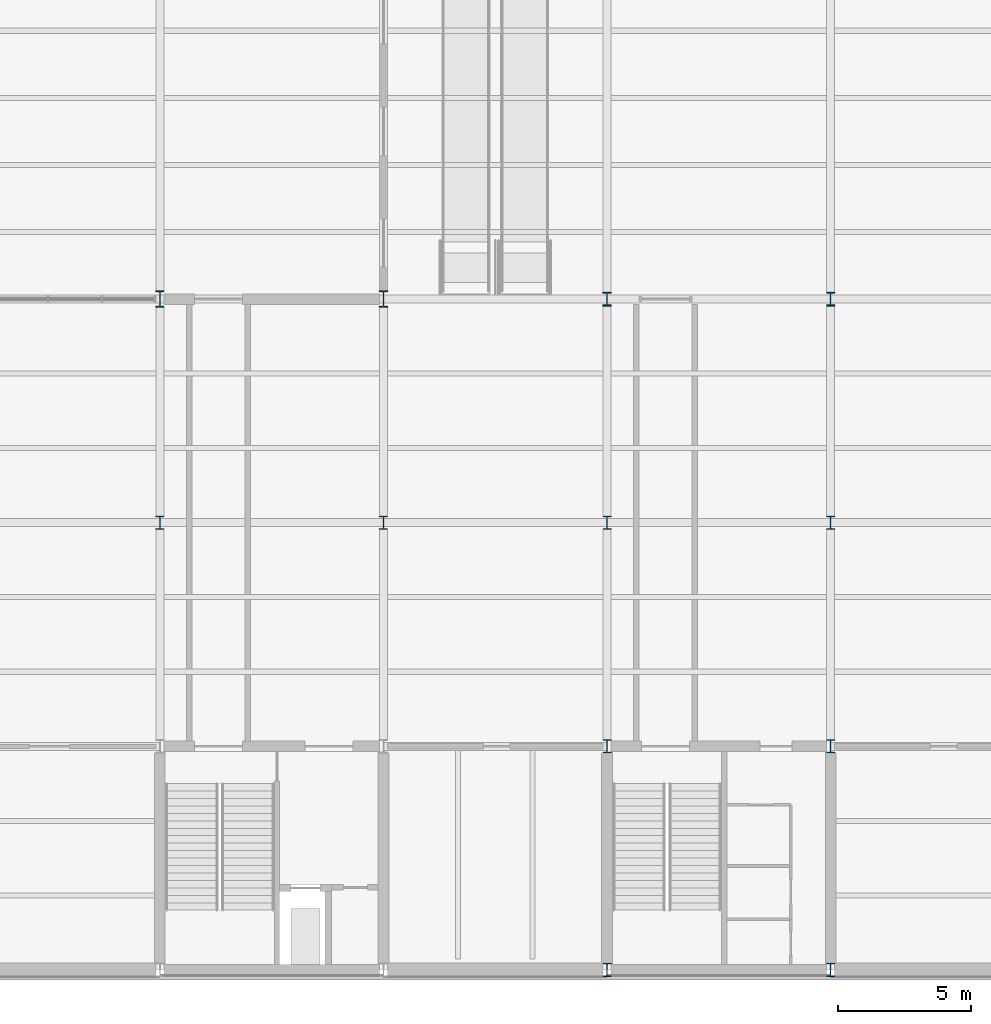
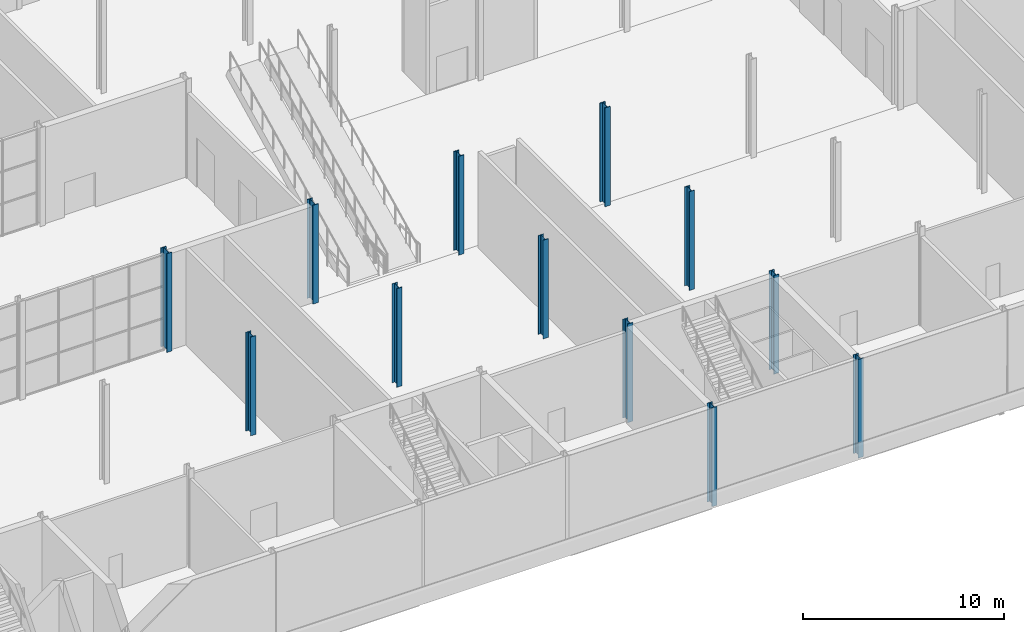
# One storey, part 2 of 55: 12 columns.
"""IFC4 building model written with IfcOpenShell, lengths in metres."""

from ifc_helpers import new_model, si_unit, direction, frame, origin, origin_2d, place, context, subcontext, project, spatial, i_section, extrude, material, material_profile, profile_set, type_object, element, save


model = new_model("IFC4")

# Units and contexts
model_context = context("Model", 3, precision=1e-05, world=origin(), true_north=direction((0.0, 1.0)))
body_context = subcontext(model_context, "Body", "Model", "MODEL_VIEW")
ifc_project = project(units=[si_unit("LENGTHUNIT", "METRE"), si_unit("AREAUNIT", "SQUARE_METRE"), si_unit("VOLUMEUNIT", "CUBIC_METRE"), si_unit("PLANEANGLEUNIT", "RADIAN"), si_unit("MASSUNIT", "GRAM", prefix="KILO")], contexts=[model_context])

# Site, building, storey
site_placement = place(None, origin())
site = spatial("IfcSite", under=ifc_project, at=site_placement, CompositionType="ELEMENT")
building_placement = place(site_placement, origin())
building = spatial("IfcBuilding", under=site, at=building_placement, Name="Galleria Vessillo Department Store", CompositionType="ELEMENT")
storey_placement = place(building_placement, origin())
storey = spatial("IfcBuildingStorey", under=building, at=storey_placement, Name="L00", CompositionType="ELEMENT", Elevation=0.0)

# Columns
ifc_material_1 = material(Name="Steel S355 J2", Category="steel")
ifc_material_profile_1 = material_profile(ifc_material_1, i_section(OverallWidth=0.300048828125, OverallDepth=0.5, WebThickness=0.014404296875, FlangeThickness=0.028076171875, FilletRadius=0.027099609375, at=origin_2d()), Name="HEB 500")
ifc_profile_set_1 = profile_set([ifc_material_profile_1], Name="Steel S355 J2")
column_type_1 = type_object("IfcColumnType", Name="Steel column HEB 500 CP1", PredefinedType="COLUMN", material=ifc_profile_set_1)
for number, where, z_axis, x_axis, name in (
    (1, (33.60009765625, 16.800048828125, 0.0), (0.0, 0.0, 1.0), (1.0, 0.0, 0.0), "S-COL-L00-5-C"),
    (2, (42.0, 16.800048828125, 0.0), (0.0, 0.0, 1.0), (1.0, 0.0, 0.0), "S-COL-L00-6-C"),
    (3, (50.39990234375, 0.0, 0.0), (0.0, 0.0, 1.0), (1.0, 0.0, 0.0), "S-COL-L00-7-A"),
    (4, (50.39990234375, 8.39990234375, 0.0), (0.0, 0.0, 1.0), (1.0, 0.0, 0.0), "S-COL-L00-7-B"),
    (5, (50.39990234375, 16.800048828125, 0.0), (0.0, 0.0, 1.0), (1.0, 0.0, 0.0), "S-COL-L00-7-C"),
    (6, (58.800048828125, 0.0, 0.0), (0.0, 0.0, 1.0), (1.0, 0.0, 0.0), "S-COL-L00-8-A"),
    (7, (58.800048828125, 8.39990234375, 0.0), (0.0, 0.0, 1.0), (1.0, 0.0, 0.0), "S-COL-L00-8-B"),
    (8, (58.800048828125, 16.800048828125, 0.0), (0.0, 0.0, 1.0), (1.0, 0.0, 0.0), "S-COL-L00-8-C"),
):
    element("IfcColumn", number, at=place(storey_placement, frame(where, z_axis=z_axis, x_axis=x_axis)), inside=storey, type_object=column_type_1, Name=name, PredefinedType="COLUMN", context=body_context, shape_type="SweptSolid", body=[
        extrude(i_section(OverallWidth=0.300048828125, OverallDepth=0.5, WebThickness=0.014404296875, FlangeThickness=0.028076171875, FilletRadius=0.027099609375, at=origin_2d()), origin(), (0.0, 0.0, 1.0), 6.0),
    ])
ifc_material_2 = material(Name="Steel S355 J2", Category="steel")
ifc_material_profile_2 = material_profile(ifc_material_2, i_section(OverallWidth=0.305908203125, OverallDepth=0.52392578125, WebThickness=0.02099609375, FlangeThickness=0.0400390625, FilletRadius=0.027099609375, at=origin_2d()), Name="HEM 500")
ifc_profile_set_2 = profile_set([ifc_material_profile_2], Name="Steel S355 J2")
column_type_2 = type_object("IfcColumnType", Name="Steel column HEM 500 CV1", PredefinedType="COLUMN", material=ifc_profile_set_2)
for number, where, z_axis, x_axis, name in (
    (9, (50.39990234375, 25.199951171875, 0.0), (0.0, 0.0, 1.0), (1.0, 0.0, 0.0), "S-COL-L00-7-D"),
    (10, (58.800048828125, 25.199951171875, 0.0), (0.0, 0.0, 1.0), (1.0, 0.0, 0.0), "S-COL-L00-8-D"),
):
    element("IfcColumn", number, at=place(storey_placement, frame(where, z_axis=z_axis, x_axis=x_axis)), inside=storey, type_object=column_type_2, Name=name, PredefinedType="COLUMN", context=body_context, shape_type="SweptSolid", body=[
        extrude(i_section(OverallWidth=0.305908203125, OverallDepth=0.52392578125, WebThickness=0.02099609375, FlangeThickness=0.0400390625, FilletRadius=0.027099609375, at=origin_2d()), origin(), (0.0, 0.0, 1.0), 6.0),
    ])
ifc_material_3 = material(Name="Steel S355 J2", Category="steel")
ifc_material_profile_3 = material_profile(ifc_material_3, i_section(OverallWidth=0.304931640625, OverallDepth=0.6201171875, WebThickness=0.02099609375, FlangeThickness=0.0400390625, FilletRadius=0.027099609375, at=origin_2d()), Name="HEM 600")
ifc_profile_set_3 = profile_set([ifc_material_profile_3], Name="Steel S355 J2")
column_type_3 = type_object("IfcColumnType", Name="Steel column HEM 600 CV2", PredefinedType="COLUMN", material=ifc_profile_set_3)
for number, where, z_axis, x_axis, name in (
    (11, (33.60009765625, 25.199951171875, 0.0), (0.0, 0.0, 1.0), (1.0, 0.0, 0.0), "S-COL-L00-5-D"),
    (12, (42.0, 25.199951171875, 0.0), (0.0, 0.0, 1.0), (1.0, 0.0, 0.0), "S-COL-L00-6-D"),
):
    element("IfcColumn", number, at=place(storey_placement, frame(where, z_axis=z_axis, x_axis=x_axis)), inside=storey, type_object=column_type_3, Name=name, PredefinedType="COLUMN", context=body_context, shape_type="SweptSolid", body=[
        extrude(i_section(OverallWidth=0.304931640625, OverallDepth=0.6201171875, WebThickness=0.02099609375, FlangeThickness=0.0400390625, FilletRadius=0.027099609375, at=origin_2d()), origin(), (0.0, 0.0, 1.0), 6.0),
    ])

save(model, "model.ifc")
